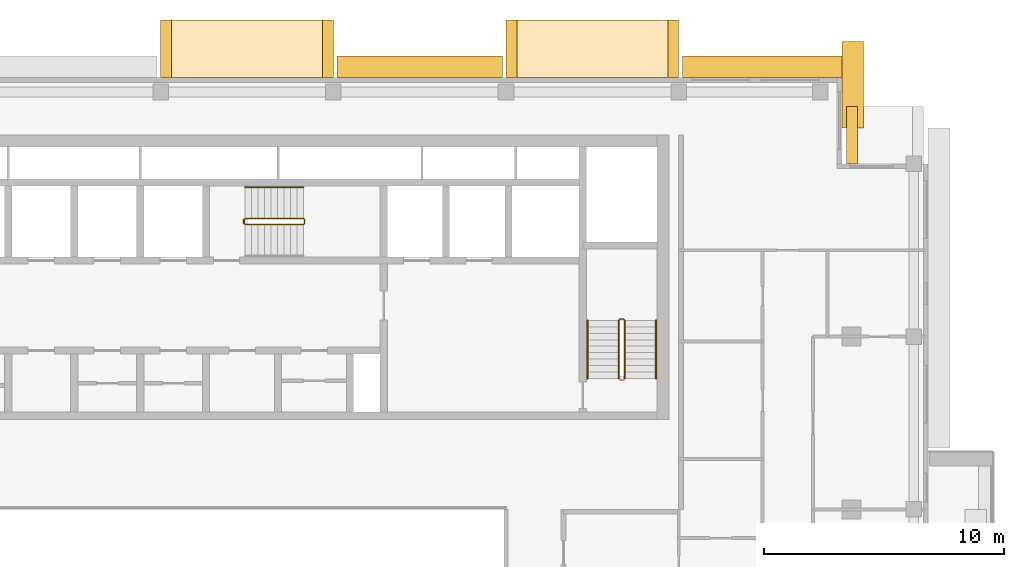
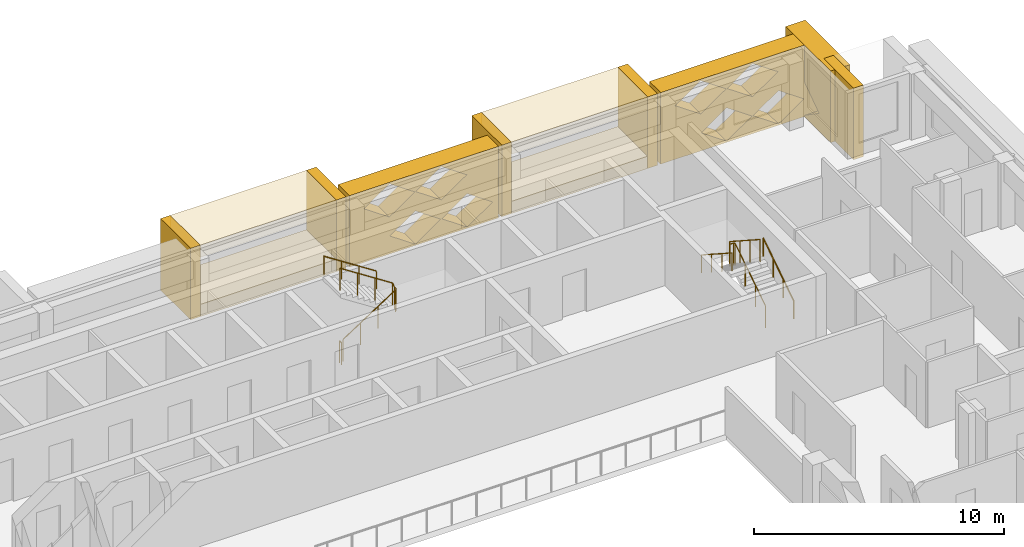
# One storey, part 18 of 19: 12 coverings, 6 railings.
"""IFC4 building model written with IfcOpenShell, lengths in metres."""

import ifcopenshell
import ifcopenshell.guid

model = None  # the IFC model being written
_history = None  # IfcOwnerHistory: only IFC2X3 demands one
_inside = {}  # id of a spatial element -> (the spatial element, [elements in it])
_under = {}  # id of a project, library or spatial element -> (it, [spatial elements below it])
_declared = {}  # id of a project -> (the project, [libraries it declares])
_typed = {}  # id of a type object -> (the type object, [elements of that type])
_made_of = {}  # id of a material, layer set ... -> (it, [elements and type objects made of it])


def new_model(schema):
    """Start an empty IFC model of exactly this schema.

    Asked for "IFC4X3", IfcOpenShell would pick the latest addendum, in which some entities
    have other attributes; the version numbers below select the first issue.
    IFC2X3 requires an IfcOwnerHistory on every rooted entity: one is made here for all.
    """
    global model, _history
    if schema == "IFC4X3":
        model = ifcopenshell.file(schema_version=(4, 3, 0, 0))
    else:
        model = ifcopenshell.file(schema=schema)
    _inside.clear()
    _under.clear()
    _declared.clear()
    _typed.clear()
    _made_of.clear()
    _history = None
    if model.schema == "IFC2X3":
        org = make("IfcOrganization", Name="unknown")
        user = make(
            "IfcPersonAndOrganization",
            ThePerson=make("IfcPerson", FamilyName="unknown"),
            TheOrganization=org,
        )
        app = make(
            "IfcApplication",
            ApplicationDeveloper=org,
            Version="unknown",
            ApplicationFullName="unknown",
            ApplicationIdentifier="unknown",
        )
        _history = make(
            "IfcOwnerHistory",
            OwningUser=user,
            OwningApplication=app,
            ChangeAction="ADDED",
            CreationDate=0,
        )
    return model


def make(cls, **values):
    """One entity of the class cls with the attributes given. An attribute that is None is left unset."""
    return model.create_entity(
        cls, **{name: value for name, value in values.items() if value is not None}
    )


def rooted(cls, **values):
    """An entity with a GlobalId (a new one), such as an element, a storey or a relation."""
    return make(cls, GlobalId=ifcopenshell.guid.new(), OwnerHistory=_history, **values)


def si_unit(unit_type, name, prefix=None):
    """IfcSIUnit, for example si_unit("LENGTHUNIT", "METRE", prefix="MILLI")."""
    return make("IfcSIUnit", UnitType=unit_type, Prefix=prefix, Name=name)


def assignment(units):
    """IfcUnitAssignment: the units of a project."""
    return None if units is None else make("IfcUnitAssignment", Units=units)


def point(xyz):
    """IfcCartesianPoint."""
    return None if xyz is None else make("IfcCartesianPoint", Coordinates=xyz)


def direction(xyz):
    """IfcDirection."""
    return None if xyz is None else make("IfcDirection", DirectionRatios=xyz)


def frame(location, z_axis=None, x_axis=None):
    """IfcAxis2Placement3D, a coordinate frame: its origin and axes. An axis left out is left unset."""
    return make(
        "IfcAxis2Placement3D",
        Location=point(location),
        Axis=direction(z_axis),
        RefDirection=direction(x_axis),
    )


def frame_2d(location, x_axis=None):
    """IfcAxis2Placement2D, a coordinate frame in the plane: its origin and x axis."""
    return make(
        "IfcAxis2Placement2D", Location=point(location), RefDirection=direction(x_axis)
    )


def origin():
    """The frame at (0, 0, 0) with its axes left unset."""
    return frame((0.0, 0.0, 0.0))


def origin_2d():
    """The frame at (0, 0) in the plane with its x axis left unset."""
    return frame_2d((0.0, 0.0))


def place(relative_to, where):
    """IfcLocalPlacement: puts the frame where relative to a parent placement (None: the world)."""
    return make(
        "IfcLocalPlacement", PlacementRelTo=relative_to, RelativePlacement=where
    )


def context(
    kind, dimensions, precision=None, world=None, true_north=None, identifier=None
):
    """IfcGeometricRepresentationContext, for example the 3D "Model" context."""
    return make(
        "IfcGeometricRepresentationContext",
        ContextIdentifier=identifier,
        ContextType=kind,
        CoordinateSpaceDimension=dimensions,
        Precision=precision,
        WorldCoordinateSystem=world,
        TrueNorth=true_north,
    )


def subcontext(parent, identifier, kind, view, scale=None):
    """IfcGeometricRepresentationSubContext, for example "Body" below "Model"."""
    return make(
        "IfcGeometricRepresentationSubContext",
        ContextIdentifier=identifier,
        ContextType=kind,
        ParentContext=parent,
        TargetScale=scale,
        TargetView=view,
    )


def project(units=None, contexts=None):
    """IfcProject with its units and contexts."""
    return rooted(
        "IfcProject",
        Name="project",
        RepresentationContexts=contexts,
        UnitsInContext=assignment(units),
    )


def spatial(cls, under=None, at=None, **own):
    """A site, building, storey or space (cls), placed at a placement, below another one or the project."""
    s = rooted(cls, ObjectPlacement=at, **own)
    if under is not None:
        _under.setdefault(under.id(), (under, []))[1].append(s)
    return s


def polyline(points):
    """IfcPolyline through the points."""
    return make("IfcPolyline", Points=[point(p) for p in points])


def profile(cls, at=None, kind="AREA", **sizes):
    """A parametric profile (cls). Its sizes go by their IFC names, for example OverallWidth=200.0."""
    return make(cls, ProfileType=kind, Position=at, **sizes)


def circle(**sizes):
    """IfcCircleProfileDef."""
    return profile("IfcCircleProfileDef", **sizes)


def outline(outer, holes=None, kind="AREA"):
    """IfcArbitraryClosedProfileDef: a profile drawn as a closed curve; with holes, ...WithVoids."""
    if holes is None:
        return make("IfcArbitraryClosedProfileDef", ProfileType=kind, OuterCurve=outer)
    return make(
        "IfcArbitraryProfileDefWithVoids",
        ProfileType=kind,
        OuterCurve=outer,
        InnerCurves=holes,
    )


def extrude(swept, where, along, depth):
    """IfcExtrudedAreaSolid: the profile swept, set in the frame where, extruded along a direction by depth."""
    return make(
        "IfcExtrudedAreaSolid",
        SweptArea=swept,
        Position=where,
        ExtrudedDirection=direction(along),
        Depth=depth,
    )


def shape(context_of_items, identifier, shape_type, items):
    """IfcShapeRepresentation: the items that make up one representation, for example the "Body"."""
    return make(
        "IfcShapeRepresentation",
        ContextOfItems=context_of_items,
        RepresentationIdentifier=identifier,
        RepresentationType=shape_type,
        Items=items,
    )


def material(Name=None, Category=None):
    """IfcMaterial."""
    return make("IfcMaterial", Name=Name, Category=Category)


def made_of(thing, what):
    """Note that an element or type object is made of a material, layer set ...; save() writes the relation."""
    if what is not None:
        _made_of.setdefault(what.id(), (what, []))[1].append(thing)
    return thing


def type_object(cls, material=None, **own):
    """A type object (cls), such as IfcWallType, which elements share."""
    return made_of(rooted(cls, **own), material)


def element(
    cls,
    number,
    at=None,
    inside=None,
    cuts=None,
    type_object=None,
    material=None,
    context=None,
    identifier="Body",
    shape_type=None,
    held_by="IfcProductDefinitionShape",
    body=None,
    shapes=None,
    **own,
):
    """One element of the class cls, such as IfcWall. Its Tag is "e" and its number.

    at: its placement. inside: the storey or other place that contains it. cuts: it is an
    opening in that element (IfcRelVoidsElement). A single representation is given by context,
    identifier, shape_type and body (its items); several are given by shapes. held_by: the class
    of the entity that holds the representations. save() writes the other relations.
    """
    e = rooted(cls, Tag="e%d" % number, ObjectPlacement=at, **own)
    if body is not None:
        shapes = [shape(context, identifier, shape_type, body)]
    if shapes is not None:
        e.Representation = make(held_by, Representations=shapes)
    if inside is not None:
        _inside.setdefault(inside.id(), (inside, []))[1].append(e)
    if cuts is not None:
        rooted(
            "IfcRelVoidsElement", RelatingBuildingElement=cuts, RelatedOpeningElement=e
        )
    if type_object is not None:
        _typed.setdefault(type_object.id(), (type_object, []))[1].append(e)
    return made_of(e, material)


def aggregate(whole, parts):
    """IfcRelAggregates: a whole, such as a stair, and the parts it consists of."""
    return rooted("IfcRelAggregates", RelatingObject=whole, RelatedObjects=parts)


def save(model, path):
    """Write the relations noted so far, then the file.

    IfcRelAggregates (storeys below a building ...), IfcRelContainedInSpatialStructure (elements
    in a storey), IfcRelDefinesByType, IfcRelAssociatesMaterial and IfcRelDeclares: one each for
    every whole, place, type object, material and project.
    """
    for whole, parts in _under.values():
        aggregate(whole, parts)
    for where, things in _inside.values():
        rooted(
            "IfcRelContainedInSpatialStructure",
            RelatedElements=things,
            RelatingStructure=where,
        )
    for kind, things in _typed.values():
        rooted("IfcRelDefinesByType", RelatedObjects=things, RelatingType=kind)
    for what, things in _made_of.values():
        rooted("IfcRelAssociatesMaterial", RelatedObjects=things, RelatingMaterial=what)
    for by, libraries in _declared.values():
        rooted("IfcRelDeclares", RelatingContext=by, RelatedDefinitions=libraries)
    model.write(path)


model = new_model("IFC4")

# Units and contexts
model_context = context("Model", 3, precision=1e-05, world=origin(), true_north=direction((0.0, 1.0)))
body_context = subcontext(model_context, "Body", "Model", "MODEL_VIEW")
ifc_project = project(units=[si_unit("LENGTHUNIT", "METRE"), si_unit("AREAUNIT", "SQUARE_METRE"), si_unit("VOLUMEUNIT", "CUBIC_METRE"), si_unit("PLANEANGLEUNIT", "RADIAN"), si_unit("MASSUNIT", "GRAM", prefix="KILO")], contexts=[model_context])

# Site, building, storey
site_placement = place(None, origin())
site = spatial("IfcSite", under=ifc_project, at=site_placement, CompositionType="ELEMENT")
building_placement = place(site_placement, origin())
building = spatial("IfcBuilding", under=site, at=building_placement, Name="Saffron Iwan Residences", CompositionType="ELEMENT")
storey_placement = place(building_placement, frame((0.0, 0.0, 243.0)))
storey = spatial("IfcBuildingStorey", under=building, at=storey_placement, Name="L65", CompositionType="ELEMENT", Elevation=243.0)

# Coverings
ifc_material_1 = material(Name="Precast concrete C40/50", Category="concrete")
covering_type_1 = type_object("IfcCoveringType", Name="OUTER SKIN LATTICE SCREEN", PredefinedType="CLADDING", material=ifc_material_1)
covering_1_placement = place(storey_placement, frame((78.800048828125, 78.300048828125, -0.280029296875), z_axis=(1.0, 0.0, 0.0), x_axis=(0.0, 1.0, 0.0)))
element("IfcCovering", 1, at=covering_1_placement, inside=storey, type_object=covering_type_1, Name="OUTER SKIN lattice screen L65 F4.0", PredefinedType="CLADDING", context=body_context, shape_type="SweptSolid", body=[
    extrude(outline(polyline([(0.0, 0.0), (3.60009765625, 0.0), (3.60009765625, 3.5), (0.0, 3.5), (0.0, 0.0)]), holes=[polyline([(0.919921875, 0.875), (2.10009765625, 0.06005859375), (3.280029296875, 0.875), (2.10009765625, 1.68994140625), (0.919921875, 0.875)])]), origin(), (0.0, 0.0, 1.0), 0.89990234375),
])
covering_2_placement = place(storey_placement, frame((79.699951171875, 80.39990234375, -0.280029296875), z_axis=(0.0, 1.0, 0.0), x_axis=(-1.0, 0.0, 0.0)))
element("IfcCovering", 2, at=covering_2_placement, inside=storey, type_object=covering_type_1, Name="OUTER SKIN lattice screen L65 F5.0", PredefinedType="CLADDING", context=body_context, shape_type="SweptSolid", body=[
    extrude(outline(polyline([(0.0, 0.0), (7.550048828125, 0.0), (7.550048828125, 3.5), (0.0, 3.5), (0.0, 0.0)]), holes=[polyline([(0.919921875, 0.875), (2.10009765625, 0.06005859375), (3.280029296875, 0.875), (2.10009765625, 1.68994140625), (0.919921875, 0.875)]), polyline([(3.320068359375, 0.875), (4.5, 0.06005859375), (5.679931640625, 0.875), (4.5, 1.68994140625), (3.320068359375, 0.875)]), polyline([(2.1201171875, 2.625), (3.300048828125, 1.81005859375), (4.47998046875, 2.625), (3.300048828125, 3.43994140625), (2.1201171875, 2.625)]), polyline([(4.52001953125, 2.625), (5.699951171875, 1.81005859375), (6.8798828125, 2.625), (5.699951171875, 3.43994140625), (4.52001953125, 2.625)])]), origin(), (0.0, 0.0, 1.0), 0.900146484375),
])
covering_3_placement = place(storey_placement, frame((64.64990234375, 80.39990234375, -0.280029296875), z_axis=(0.0, 1.0, 0.0), x_axis=(-1.0, 0.0, 0.0)))
element("IfcCovering", 3, at=covering_3_placement, inside=storey, type_object=covering_type_1, Name="OUTER SKIN lattice screen L65 F5.1", PredefinedType="CLADDING", context=body_context, shape_type="SweptSolid", body=[
    extrude(outline(polyline([(0.0, 0.0), (6.89990234375, 0.0), (6.89990234375, 3.5), (0.0, 3.5), (0.0, 0.0)]), holes=[polyline([(0.27001953125, 0.875), (1.449951171875, 0.06005859375), (2.6298828125, 0.875), (1.449951171875, 1.68994140625), (0.27001953125, 0.875)]), polyline([(2.669921875, 0.875), (3.85009765625, 0.06005859375), (5.030029296875, 0.875), (3.85009765625, 1.68994140625), (2.669921875, 0.875)]), polyline([(1.469970703125, 2.625), (2.64990234375, 1.81005859375), (3.830078125, 2.625), (2.64990234375, 3.43994140625), (1.469970703125, 2.625)]), polyline([(3.8701171875, 2.625), (5.050048828125, 1.81005859375), (6.22998046875, 2.625), (5.050048828125, 3.43994140625), (3.8701171875, 2.625)])]), origin(), (0.0, 0.0, 1.0), 0.900146484375),
])

# Railings
ifc_material_2 = material(Name="Steel S355", Category="steel")
railing_type_1 = type_object("IfcRailingType", Name="Stair guard 1100", PredefinedType="GUARDRAIL", material=ifc_material_2)
railing_1_placement = place(storey_placement, frame((53.925048828125, 74.27490234375, 0.175048828125)))
element("IfcRailing", 4, at=railing_1_placement, inside=storey, type_object=railing_type_1, Name="L65 ST-C stair guard 1", PredefinedType="GUARDRAIL", context=body_context, shape_type="SweptSolid", body=[
    extrude(circle(Radius=0.02392578125, at=origin_2d()), frame((0.0, 0.0, 1.076171875), z_axis=(0.839153699163, 0.0, 0.543894354798), x_axis=(0.0, 1.0, 0.0)), (0.0, 0.0, 1.0), 2.895751953125),
    extrude(circle(Radius=0.02392578125, at=origin_2d()), frame((2.429931640625, 0.0, 2.65087890625), z_axis=(0.707106781187, 0.707106781187, 0.0), x_axis=(-0.707106781187, 0.707106781187, 0.0)), (0.0, 0.0, 1.0), 0.07080078125),
    extrude(circle(Radius=0.02392578125, at=origin_2d()), frame((2.47998046875, 0.050048828125, 2.65087890625), z_axis=(0.0, 1.0, 0.0), x_axis=(-1.0, 0.0, 0.0)), (0.0, 0.0, 1.0), 0.150146484375),
    extrude(circle(Radius=0.02392578125, at=origin_2d()), frame((2.47998046875, 0.2001953125, 2.65087890625), z_axis=(-0.265155923931, 0.263862480399, 0.927399011991), x_axis=(-0.705375805398, -0.708833529934, 0.0)), (0.0, 0.0, 1.0), 0.188720703125),
    extrude(circle(Radius=0.02392578125, at=origin_2d()), frame((2.429931640625, 0.25, 2.826171875), z_axis=(-0.839153699163, 0.0, 0.543894354798), x_axis=(0.0, -1.0, 0.0)), (0.0, 0.0, 1.0), 2.895751953125),
    extrude(circle(Radius=0.02099609375, at=origin_2d()), origin(), (0.0, 0.0, 1.0), 1.052001953125),
    extrude(circle(Radius=0.02099609375, at=origin_2d()), frame((0.81005859375, 0.0, 0.52490234375)), (0.0, 0.0, 1.0), 1.052001953125),
    extrude(circle(Radius=0.02099609375, at=origin_2d()), frame((1.619873046875, 0.0, 1.050048828125)), (0.0, 0.0, 1.0), 1.052001953125),
    extrude(circle(Radius=0.02099609375, at=origin_2d()), frame((2.429931640625, 0.0, 1.574951171875)), (0.0, 0.0, 1.0), 1.052001953125),
    extrude(circle(Radius=0.02099609375, at=origin_2d()), frame((2.47998046875, 0.050048828125, 1.574951171875)), (0.0, 0.0, 1.0), 1.052001953125),
    extrude(circle(Radius=0.02099609375, at=origin_2d()), frame((2.47998046875, 0.2001953125, 1.574951171875)), (0.0, 0.0, 1.0), 1.052001953125),
    extrude(circle(Radius=0.02099609375, at=origin_2d()), frame((2.429931640625, 0.25, 1.75)), (0.0, 0.0, 1.0), 1.052001953125),
    extrude(circle(Radius=0.02099609375, at=origin_2d()), frame((1.619873046875, 0.25, 2.27490234375)), (0.0, 0.0, 1.0), 1.052001953125),
    extrude(circle(Radius=0.02099609375, at=origin_2d()), frame((0.81005859375, 0.25, 2.800048828125)), (0.0, 0.0, 1.0), 1.052001953125),
    extrude(circle(Radius=0.02099609375, at=origin_2d()), frame((0.0, 0.25, 3.324951171875)), (0.0, 0.0, 1.0), 1.052001953125),
])
railing_2_placement = place(storey_placement, frame((53.875, 74.324951171875, 0.0)))
element("IfcRailing", 5, at=railing_2_placement, inside=storey, type_object=railing_type_1, Name="L65 ST-C stair guard 2", PredefinedType="GUARDRAIL", context=body_context, shape_type="SweptSolid", body=[
    extrude(circle(Radius=0.02392578125, at=origin_2d()), frame((0.0, 0.0, 1.076171875), z_axis=(0.0, 1.0, 0.0), x_axis=(-1.0, 0.0, 0.0)), (0.0, 0.0, 1.0), 0.150146484375),
    extrude(circle(Radius=0.02099609375, at=origin_2d()), origin(), (0.0, 0.0, 1.0), 1.052001953125),
    extrude(circle(Radius=0.02099609375, at=origin_2d()), frame((0.0, 0.150146484375, 0.0)), (0.0, 0.0, 1.0), 1.052001953125),
])
railing_3_placement = place(storey_placement, frame((69.75, 67.85009765625, 0.175048828125)))
element("IfcRailing", 6, at=railing_3_placement, inside=storey, type_object=railing_type_1, Name="L65 ST-E stair guard 1", PredefinedType="GUARDRAIL", context=body_context, shape_type="SweptSolid", body=[
    extrude(circle(Radius=0.02392578125, at=origin_2d()), frame((0.0, 0.0, 1.076171875), z_axis=(0.0, 0.839153699163, 0.543894354798), x_axis=(-1.0, 0.0, 0.0)), (0.0, 0.0, 1.0), 2.895751953125),
    extrude(circle(Radius=0.02392578125, at=origin_2d()), frame((0.0, 2.429931640625, 2.65087890625), z_axis=(-0.707106781187, 0.707106781187, 0.0), x_axis=(-0.707106781187, -0.707106781187, 0.0)), (0.0, 0.0, 1.0), 0.07080078125),
    extrude(circle(Radius=0.02392578125, at=origin_2d()), frame((-0.050048828125, 2.47998046875, 2.65087890625), z_axis=(-1.0, 0.0, 0.0), x_axis=(0.0, -1.0, 0.0)), (0.0, 0.0, 1.0), 0.14990234375),
    extrude(circle(Radius=0.02392578125, at=origin_2d()), frame((-0.199951171875, 2.47998046875, 2.65087890625), z_axis=(-0.265065253269, -0.265065253269, 0.927081885822), x_axis=(0.707106781187, -0.707106781187, 0.0)), (0.0, 0.0, 1.0), 0.188720703125),
    extrude(circle(Radius=0.02392578125, at=origin_2d()), frame((-0.25, 2.429931640625, 2.826171875), z_axis=(0.0, -0.839153699163, 0.543894354798), x_axis=(1.0, 0.0, 0.0)), (0.0, 0.0, 1.0), 2.895751953125),
    extrude(circle(Radius=0.02099609375, at=origin_2d()), origin(), (0.0, 0.0, 1.0), 1.052001953125),
    extrude(circle(Radius=0.02099609375, at=origin_2d()), frame((0.0, 0.81005859375, 0.52490234375)), (0.0, 0.0, 1.0), 1.052001953125),
    extrude(circle(Radius=0.02099609375, at=origin_2d()), frame((0.0, 1.619873046875, 1.050048828125)), (0.0, 0.0, 1.0), 1.052001953125),
    extrude(circle(Radius=0.02099609375, at=origin_2d()), frame((0.0, 2.429931640625, 1.574951171875)), (0.0, 0.0, 1.0), 1.052001953125),
    extrude(circle(Radius=0.02099609375, at=origin_2d()), frame((-0.050048828125, 2.47998046875, 1.574951171875)), (0.0, 0.0, 1.0), 1.052001953125),
    extrude(circle(Radius=0.02099609375, at=origin_2d()), frame((-0.199951171875, 2.47998046875, 1.574951171875)), (0.0, 0.0, 1.0), 1.052001953125),
    extrude(circle(Radius=0.02099609375, at=origin_2d()), frame((-0.25, 2.429931640625, 1.75)), (0.0, 0.0, 1.0), 1.052001953125),
    extrude(circle(Radius=0.02099609375, at=origin_2d()), frame((-0.25, 1.619873046875, 2.27490234375)), (0.0, 0.0, 1.0), 1.052001953125),
    extrude(circle(Radius=0.02099609375, at=origin_2d()), frame((-0.25, 0.81005859375, 2.800048828125)), (0.0, 0.0, 1.0), 1.052001953125),
    extrude(circle(Radius=0.02099609375, at=origin_2d()), frame((-0.25, 0.0, 3.324951171875)), (0.0, 0.0, 1.0), 1.052001953125),
])
ifc_material_3 = material(Name="Stainless steel 316", Category="steel")
railing_type_2 = type_object("IfcRailingType", Name="Stair handrail 900", PredefinedType="HANDRAIL", material=ifc_material_3)
railing_4_placement = place(storey_placement, frame((56.35498046875, 75.824951171875, 1.925048828125)))
element("IfcRailing", 7, at=railing_4_placement, inside=storey, type_object=railing_type_2, Name="L65 ST-C stair handrail 2", PredefinedType="HANDRAIL", context=body_context, shape_type="SweptSolid", body=[
    extrude(circle(Radius=0.02392578125, at=origin_2d()), frame((0.0, 0.0, 0.8759765625), z_axis=(-0.839153699163, 0.0, 0.543894354798), x_axis=(0.0, -1.0, 0.0)), (0.0, 0.0, 1.0), 2.895751953125),
    extrude(circle(Radius=0.02099609375, at=origin_2d()), origin(), (0.0, 0.0, 1.0), 0.851806640625),
    extrude(circle(Radius=0.02099609375, at=origin_2d()), frame((-0.81005859375, 0.0, 0.52490234375)), (0.0, 0.0, 1.0), 0.851806640625),
    extrude(circle(Radius=0.02099609375, at=origin_2d()), frame((-1.619873046875, 0.0, 1.050048828125)), (0.0, 0.0, 1.0), 0.851806640625),
    extrude(circle(Radius=0.02099609375, at=origin_2d()), frame((-2.429931640625, 0.0, 1.574951171875)), (0.0, 0.0, 1.0), 0.851806640625),
])
railing_5_placement = place(storey_placement, frame((71.050048828125, 67.85009765625, 0.175048828125)))
element("IfcRailing", 8, at=railing_5_placement, inside=storey, type_object=railing_type_2, Name="L65 ST-E stair handrail 1", PredefinedType="HANDRAIL", context=body_context, shape_type="SweptSolid", body=[
    extrude(circle(Radius=0.02392578125, at=origin_2d()), frame((0.0, 0.0, 0.8759765625), z_axis=(0.0, 0.839153699163, 0.543894354798), x_axis=(-1.0, 0.0, 0.0)), (0.0, 0.0, 1.0), 2.895751953125),
    extrude(circle(Radius=0.02099609375, at=origin_2d()), origin(), (0.0, 0.0, 1.0), 0.851806640625),
    extrude(circle(Radius=0.02099609375, at=origin_2d()), frame((0.0, 0.81005859375, 0.52490234375)), (0.0, 0.0, 1.0), 0.851806640625),
    extrude(circle(Radius=0.02099609375, at=origin_2d()), frame((0.0, 1.619873046875, 1.050048828125)), (0.0, 0.0, 1.0), 0.851806640625),
    extrude(circle(Radius=0.02099609375, at=origin_2d()), frame((0.0, 2.429931640625, 1.574951171875)), (0.0, 0.0, 1.0), 0.851806640625),
])
railing_6_placement = place(storey_placement, frame((68.199951171875, 70.280029296875, 1.925048828125)))
element("IfcRailing", 9, at=railing_6_placement, inside=storey, type_object=railing_type_2, Name="L65 ST-E stair handrail 2", PredefinedType="HANDRAIL", context=body_context, shape_type="SweptSolid", body=[
    extrude(circle(Radius=0.02392578125, at=origin_2d()), frame((0.0, 0.0, 0.8759765625), z_axis=(0.0, -0.839153699163, 0.543894354798), x_axis=(1.0, 0.0, 0.0)), (0.0, 0.0, 1.0), 2.895751953125),
    extrude(circle(Radius=0.02099609375, at=origin_2d()), origin(), (0.0, 0.0, 1.0), 0.851806640625),
    extrude(circle(Radius=0.02099609375, at=origin_2d()), frame((0.0, -0.81005859375, 0.52490234375)), (0.0, 0.0, 1.0), 0.851806640625),
    extrude(circle(Radius=0.02099609375, at=origin_2d()), frame((0.0, -1.619873046875, 1.050048828125)), (0.0, 0.0, 1.0), 0.851806640625),
    extrude(circle(Radius=0.02099609375, at=origin_2d()), frame((0.0, -2.429931640625, 1.574951171875)), (0.0, 0.0, 1.0), 0.851806640625),
])

# Coverings
ifc_material_4 = material(Name="Precast concrete C40/50 white painted", Category="concrete")
covering_type_2 = type_object("IfcCoveringType", Name="WHITE SUN FRAME PRECAST", PredefinedType="CLADDING", material=ifc_material_4)
covering_4_placement = place(storey_placement, frame((79.449951171875, 76.800048828125, -0.280029296875), z_axis=(0.0, 1.0, 0.0), x_axis=(-1.0, 0.0, 0.0)))
element("IfcCovering", 10, at=covering_4_placement, inside=storey, type_object=covering_type_2, Name="Sun frame L65 F3 0.2b", PredefinedType="CLADDING", context=body_context, shape_type="SweptSolid", body=[
    extrude(outline(polyline([(0.0, 0.0), (0.449951171875, 0.0), (0.449951171875, 3.5), (0.0, 3.5), (0.0, 0.0)])), origin(), (0.0, 0.0, 1.0), 2.39990234375),
])
for number, where, z_axis, x_axis, name in (
    (11, (72.0, 80.39990234375, -0.280029296875), (0.0, 1.0, 0.0), (-1.0, 0.0, 0.0), "Sun frame L65 F5 6.8a"),
    (12, (65.25, 80.39990234375, -0.280029296875), (0.0, 1.0, 0.0), (-1.0, 0.0, 0.0), "Sun frame L65 F5 6.8b"),
):
    element("IfcCovering", number, at=place(storey_placement, frame(where, z_axis=z_axis, x_axis=x_axis)), inside=storey, type_object=covering_type_2, Name=name, PredefinedType="CLADDING", context=body_context, shape_type="SweptSolid", body=[
        extrude(outline(polyline([(0.0, 0.0), (0.449951171875, 0.0), (0.449951171875, 3.5), (0.0, 3.5), (0.0, 0.0)])), origin(), (0.0, 0.0, 1.0), 2.400146484375),
    ])
for number, where, z_axis, x_axis, name in (
    (13, (71.550048828125, 80.39990234375, 2.6201171875), (0.0, 1.0, 0.0), (-1.0, 0.0, 0.0), "Sun frame L65 F5 6.8h"),
    (14, (71.550048828125, 80.39990234375, -0.280029296875), (0.0, 1.0, 0.0), (-1.0, 0.0, 0.0), "Sun frame L65 F5 6.8s"),
):
    element("IfcCovering", number, at=place(storey_placement, frame(where, z_axis=z_axis, x_axis=x_axis)), inside=storey, type_object=covering_type_2, Name=name, PredefinedType="CLADDING", context=body_context, shape_type="SweptSolid", body=[
        extrude(outline(polyline([(0.0, 0.0), (6.300048828125, 0.0), (6.300048828125, 0.60009765625), (0.0, 0.60009765625), (0.0, 0.0)])), origin(), (0.0, 0.0, 1.0), 2.400146484375),
    ])
for number, where, z_axis, x_axis, name in (
    (15, (57.60009765625, 80.39990234375, -0.280029296875), (0.0, 1.0, 0.0), (-1.0, 0.0, 0.0), "Sun frame L65 F5 21.2a"),
    (16, (50.85009765625, 80.39990234375, -0.280029296875), (0.0, 1.0, 0.0), (-1.0, 0.0, 0.0), "Sun frame L65 F5 21.2b"),
):
    element("IfcCovering", number, at=place(storey_placement, frame(where, z_axis=z_axis, x_axis=x_axis)), inside=storey, type_object=covering_type_2, Name=name, PredefinedType="CLADDING", context=body_context, shape_type="SweptSolid", body=[
        extrude(outline(polyline([(0.0, 0.0), (0.449951171875, 0.0), (0.449951171875, 3.5), (0.0, 3.5), (0.0, 0.0)])), origin(), (0.0, 0.0, 1.0), 2.400146484375),
    ])
for number, where, z_axis, x_axis, name in (
    (17, (57.14990234375, 80.39990234375, 2.6201171875), (0.0, 1.0, 0.0), (-1.0, 0.0, 0.0), "Sun frame L65 F5 21.2h"),
    (18, (57.14990234375, 80.39990234375, -0.280029296875), (0.0, 1.0, 0.0), (-1.0, 0.0, 0.0), "Sun frame L65 F5 21.2s"),
):
    element("IfcCovering", number, at=place(storey_placement, frame(where, z_axis=z_axis, x_axis=x_axis)), inside=storey, type_object=covering_type_2, Name=name, PredefinedType="CLADDING", context=body_context, shape_type="SweptSolid", body=[
        extrude(outline(polyline([(0.0, 0.0), (6.300048828125, 0.0), (6.300048828125, 0.60009765625), (0.0, 0.60009765625), (0.0, 0.0)])), origin(), (0.0, 0.0, 1.0), 2.400146484375),
    ])

save(model, "model.ifc")
